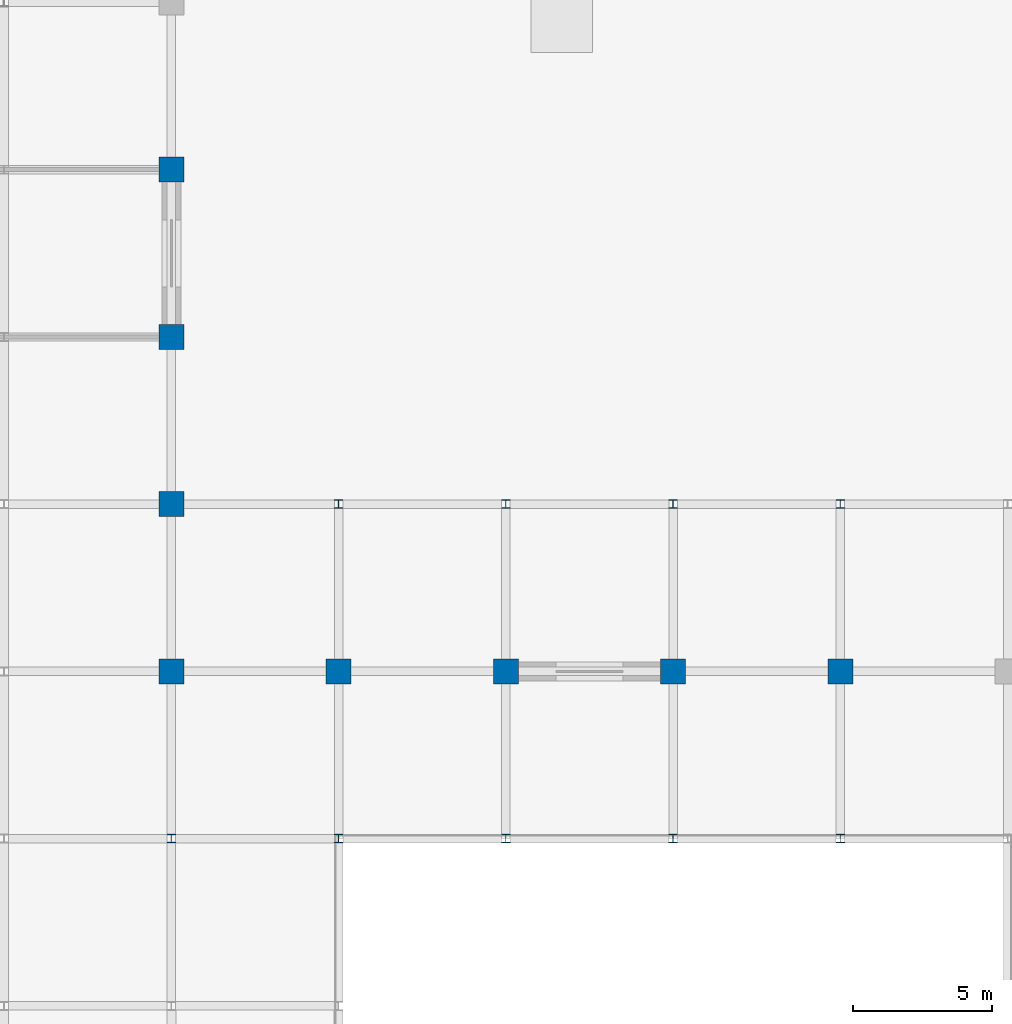
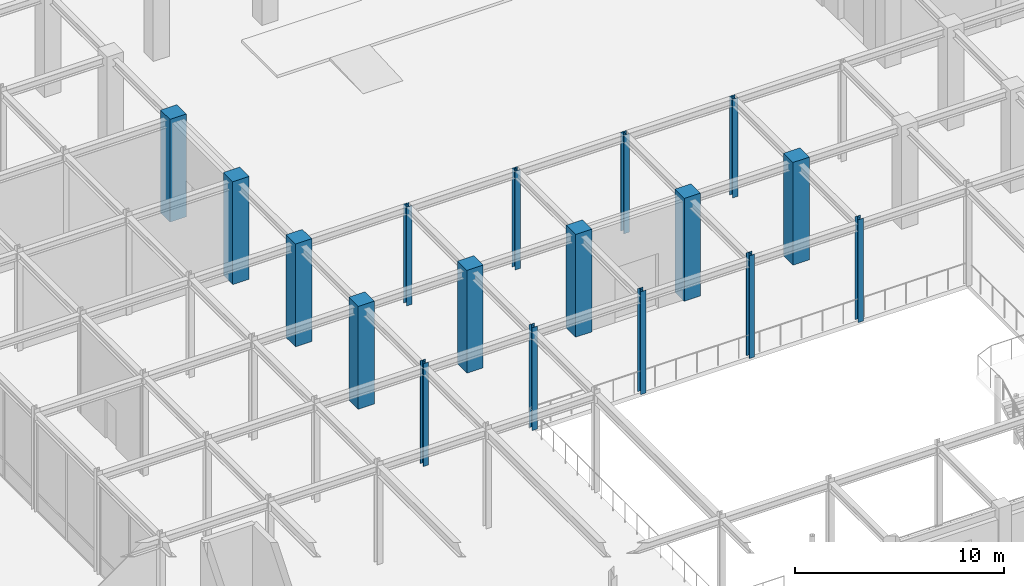
# One storey, part 11 of 108: 17 columns.
"""IFC4 building model written with IfcOpenShell, lengths in metres."""

import ifcopenshell
import ifcopenshell.guid

model = None  # the IFC model being written
_history = None  # IfcOwnerHistory: only IFC2X3 demands one
_inside = {}  # id of a spatial element -> (the spatial element, [elements in it])
_under = {}  # id of a project, library or spatial element -> (it, [spatial elements below it])
_declared = {}  # id of a project -> (the project, [libraries it declares])
_typed = {}  # id of a type object -> (the type object, [elements of that type])
_made_of = {}  # id of a material, layer set ... -> (it, [elements and type objects made of it])


def new_model(schema):
    """Start an empty IFC model of exactly this schema.

    Asked for "IFC4X3", IfcOpenShell would pick the latest addendum, in which some entities
    have other attributes; the version numbers below select the first issue.
    IFC2X3 requires an IfcOwnerHistory on every rooted entity: one is made here for all.
    """
    global model, _history
    if schema == "IFC4X3":
        model = ifcopenshell.file(schema_version=(4, 3, 0, 0))
    else:
        model = ifcopenshell.file(schema=schema)
    _inside.clear()
    _under.clear()
    _declared.clear()
    _typed.clear()
    _made_of.clear()
    _history = None
    if model.schema == "IFC2X3":
        org = make("IfcOrganization", Name="unknown")
        user = make(
            "IfcPersonAndOrganization",
            ThePerson=make("IfcPerson", FamilyName="unknown"),
            TheOrganization=org,
        )
        app = make(
            "IfcApplication",
            ApplicationDeveloper=org,
            Version="unknown",
            ApplicationFullName="unknown",
            ApplicationIdentifier="unknown",
        )
        _history = make(
            "IfcOwnerHistory",
            OwningUser=user,
            OwningApplication=app,
            ChangeAction="ADDED",
            CreationDate=0,
        )
    return model


def make(cls, **values):
    """One entity of the class cls with the attributes given. An attribute that is None is left unset."""
    return model.create_entity(
        cls, **{name: value for name, value in values.items() if value is not None}
    )


def rooted(cls, **values):
    """An entity with a GlobalId (a new one), such as an element, a storey or a relation."""
    return make(cls, GlobalId=ifcopenshell.guid.new(), OwnerHistory=_history, **values)


def si_unit(unit_type, name, prefix=None):
    """IfcSIUnit, for example si_unit("LENGTHUNIT", "METRE", prefix="MILLI")."""
    return make("IfcSIUnit", UnitType=unit_type, Prefix=prefix, Name=name)


def assignment(units):
    """IfcUnitAssignment: the units of a project."""
    return None if units is None else make("IfcUnitAssignment", Units=units)


def point(xyz):
    """IfcCartesianPoint."""
    return None if xyz is None else make("IfcCartesianPoint", Coordinates=xyz)


def direction(xyz):
    """IfcDirection."""
    return None if xyz is None else make("IfcDirection", DirectionRatios=xyz)


def frame(location, z_axis=None, x_axis=None):
    """IfcAxis2Placement3D, a coordinate frame: its origin and axes. An axis left out is left unset."""
    return make(
        "IfcAxis2Placement3D",
        Location=point(location),
        Axis=direction(z_axis),
        RefDirection=direction(x_axis),
    )


def frame_2d(location, x_axis=None):
    """IfcAxis2Placement2D, a coordinate frame in the plane: its origin and x axis."""
    return make(
        "IfcAxis2Placement2D", Location=point(location), RefDirection=direction(x_axis)
    )


def origin():
    """The frame at (0, 0, 0) with its axes left unset."""
    return frame((0.0, 0.0, 0.0))


def origin_2d():
    """The frame at (0, 0) in the plane with its x axis left unset."""
    return frame_2d((0.0, 0.0))


def place(relative_to, where):
    """IfcLocalPlacement: puts the frame where relative to a parent placement (None: the world)."""
    return make(
        "IfcLocalPlacement", PlacementRelTo=relative_to, RelativePlacement=where
    )


def context(
    kind, dimensions, precision=None, world=None, true_north=None, identifier=None
):
    """IfcGeometricRepresentationContext, for example the 3D "Model" context."""
    return make(
        "IfcGeometricRepresentationContext",
        ContextIdentifier=identifier,
        ContextType=kind,
        CoordinateSpaceDimension=dimensions,
        Precision=precision,
        WorldCoordinateSystem=world,
        TrueNorth=true_north,
    )


def subcontext(parent, identifier, kind, view, scale=None):
    """IfcGeometricRepresentationSubContext, for example "Body" below "Model"."""
    return make(
        "IfcGeometricRepresentationSubContext",
        ContextIdentifier=identifier,
        ContextType=kind,
        ParentContext=parent,
        TargetScale=scale,
        TargetView=view,
    )


def project(units=None, contexts=None):
    """IfcProject with its units and contexts."""
    return rooted(
        "IfcProject",
        Name="project",
        RepresentationContexts=contexts,
        UnitsInContext=assignment(units),
    )


def spatial(cls, under=None, at=None, **own):
    """A site, building, storey or space (cls), placed at a placement, below another one or the project."""
    s = rooted(cls, ObjectPlacement=at, **own)
    if under is not None:
        _under.setdefault(under.id(), (under, []))[1].append(s)
    return s


def profile(cls, at=None, kind="AREA", **sizes):
    """A parametric profile (cls). Its sizes go by their IFC names, for example OverallWidth=200.0."""
    return make(cls, ProfileType=kind, Position=at, **sizes)


def rectangle(**sizes):
    """IfcRectangleProfileDef."""
    return profile("IfcRectangleProfileDef", **sizes)


def i_section(**sizes):
    """IfcIShapeProfileDef."""
    return profile("IfcIShapeProfileDef", **sizes)


def extrude(swept, where, along, depth):
    """IfcExtrudedAreaSolid: the profile swept, set in the frame where, extruded along a direction by depth."""
    return make(
        "IfcExtrudedAreaSolid",
        SweptArea=swept,
        Position=where,
        ExtrudedDirection=direction(along),
        Depth=depth,
    )


def shape(context_of_items, identifier, shape_type, items):
    """IfcShapeRepresentation: the items that make up one representation, for example the "Body"."""
    return make(
        "IfcShapeRepresentation",
        ContextOfItems=context_of_items,
        RepresentationIdentifier=identifier,
        RepresentationType=shape_type,
        Items=items,
    )


def material(Name=None, Category=None):
    """IfcMaterial."""
    return make("IfcMaterial", Name=Name, Category=Category)


def material_profile(
    of_material, cross_section, Name=None, Category=None, Priority=None
):
    """IfcMaterialProfile: a cross section and its material."""
    return make(
        "IfcMaterialProfile",
        Name=Name,
        Material=of_material,
        Profile=cross_section,
        Priority=Priority,
        Category=Category,
    )


def profile_set(profiles, Name=None, composite=None):
    """IfcMaterialProfileSet."""
    return make(
        "IfcMaterialProfileSet",
        Name=Name,
        MaterialProfiles=profiles,
        CompositeProfile=composite,
    )


def made_of(thing, what):
    """Note that an element or type object is made of a material, layer set ...; save() writes the relation."""
    if what is not None:
        _made_of.setdefault(what.id(), (what, []))[1].append(thing)
    return thing


def type_object(cls, material=None, **own):
    """A type object (cls), such as IfcWallType, which elements share."""
    return made_of(rooted(cls, **own), material)


def element(
    cls,
    number,
    at=None,
    inside=None,
    cuts=None,
    type_object=None,
    material=None,
    context=None,
    identifier="Body",
    shape_type=None,
    held_by="IfcProductDefinitionShape",
    body=None,
    shapes=None,
    **own,
):
    """One element of the class cls, such as IfcWall. Its Tag is "e" and its number.

    at: its placement. inside: the storey or other place that contains it. cuts: it is an
    opening in that element (IfcRelVoidsElement). A single representation is given by context,
    identifier, shape_type and body (its items); several are given by shapes. held_by: the class
    of the entity that holds the representations. save() writes the other relations.
    """
    e = rooted(cls, Tag="e%d" % number, ObjectPlacement=at, **own)
    if body is not None:
        shapes = [shape(context, identifier, shape_type, body)]
    if shapes is not None:
        e.Representation = make(held_by, Representations=shapes)
    if inside is not None:
        _inside.setdefault(inside.id(), (inside, []))[1].append(e)
    if cuts is not None:
        rooted(
            "IfcRelVoidsElement", RelatingBuildingElement=cuts, RelatedOpeningElement=e
        )
    if type_object is not None:
        _typed.setdefault(type_object.id(), (type_object, []))[1].append(e)
    return made_of(e, material)


def aggregate(whole, parts):
    """IfcRelAggregates: a whole, such as a stair, and the parts it consists of."""
    return rooted("IfcRelAggregates", RelatingObject=whole, RelatedObjects=parts)


def save(model, path):
    """Write the relations noted so far, then the file.

    IfcRelAggregates (storeys below a building ...), IfcRelContainedInSpatialStructure (elements
    in a storey), IfcRelDefinesByType, IfcRelAssociatesMaterial and IfcRelDeclares: one each for
    every whole, place, type object, material and project.
    """
    for whole, parts in _under.values():
        aggregate(whole, parts)
    for where, things in _inside.values():
        rooted(
            "IfcRelContainedInSpatialStructure",
            RelatedElements=things,
            RelatingStructure=where,
        )
    for kind, things in _typed.values():
        rooted("IfcRelDefinesByType", RelatedObjects=things, RelatingType=kind)
    for what, things in _made_of.values():
        rooted("IfcRelAssociatesMaterial", RelatedObjects=things, RelatingMaterial=what)
    for by, libraries in _declared.values():
        rooted("IfcRelDeclares", RelatingContext=by, RelatedDefinitions=libraries)
    model.write(path)


model = new_model("IFC4")

# Units and contexts
model_context = context("Model", 3, precision=1e-05, world=origin(), true_north=direction((0.0, 1.0)))
body_context = subcontext(model_context, "Body", "Model", "MODEL_VIEW")
ifc_project = project(units=[si_unit("LENGTHUNIT", "METRE"), si_unit("AREAUNIT", "SQUARE_METRE"), si_unit("VOLUMEUNIT", "CUBIC_METRE"), si_unit("PLANEANGLEUNIT", "RADIAN"), si_unit("MASSUNIT", "GRAM", prefix="KILO")], contexts=[model_context])

# Site, building, storey
site_placement = place(None, origin())
site = spatial("IfcSite", under=ifc_project, at=site_placement, CompositionType="ELEMENT")
building_placement = place(site_placement, origin())
building = spatial("IfcBuilding", under=site, at=building_placement, Name="Zlatovratsky Civic Hall", CompositionType="ELEMENT")
storey_placement = place(building_placement, frame((0.0, 0.0, 6.0)))
storey = spatial("IfcBuildingStorey", under=building, at=storey_placement, Name="L02", CompositionType="ELEMENT", Elevation=6.0)

# Columns
ifc_material_1 = material(Name="Concrete C35/45 (B40)", Category="concrete")
ifc_material_profile_1 = material_profile(ifc_material_1, rectangle(XDim=0.89990234375, YDim=0.89990234375, at=origin_2d()), Name="RC 900x900")
ifc_profile_set_1 = profile_set([ifc_material_profile_1], Name="Concrete C35/45 (B40)")
column_type_1 = type_object("IfcColumnType", Name="Col_ChamberPier_RC900", PredefinedType="COLUMN", material=ifc_profile_set_1)
for number, where, z_axis, x_axis, name in (
    (1, (66.0, 42.0, 0.0), (0.0, 0.0, 1.0), (1.0, 0.0, 0.0), "CL-0927"),
    (2, (72.0, 42.0, 0.0), (0.0, 0.0, 1.0), (1.0, 0.0, 0.0), "CL-0928"),
    (3, (78.0, 42.0, 0.0), (0.0, 0.0, 1.0), (1.0, 0.0, 0.0), "CL-0929"),
    (4, (84.0, 42.0, 0.0), (0.0, 0.0, 1.0), (1.0, 0.0, 0.0), "CL-0930"),
    (5, (90.0, 42.0, 0.0), (0.0, 0.0, 1.0), (1.0, 0.0, 0.0), "CL-0931"),
    (6, (66.0, 48.0, 0.0), (0.0, 0.0, 1.0), (1.0, 0.0, 0.0), "CL-0946"),
    (7, (66.0, 54.0, 0.0), (0.0, 0.0, 1.0), (1.0, 0.0, 0.0), "CL-0965"),
    (8, (66.0, 60.0, 0.0), (0.0, 0.0, 1.0), (1.0, 0.0, 0.0), "CL-0979"),
):
    element("IfcColumn", number, at=place(storey_placement, frame(where, z_axis=z_axis, x_axis=x_axis)), inside=storey, type_object=column_type_1, Name=name, PredefinedType="COLUMN", context=body_context, shape_type="SweptSolid", body=[
        extrude(rectangle(XDim=0.89990234375, YDim=0.89990234375, at=origin_2d()), origin(), (0.0, 0.0, 1.0), 6.0),
    ])
ifc_material_2 = material(Name="Steel S355", Category="steel")
ifc_material_profile_2 = material_profile(ifc_material_2, i_section(OverallWidth=0.300048828125, OverallDepth=0.300048828125, WebThickness=0.010009765625, FlangeThickness=0.014892578125, FilletRadius=0.01806640625, at=origin_2d()), Name="30K2")
ifc_profile_set_2 = profile_set([ifc_material_profile_2], Name="Steel S355")
column_type_2 = type_object("IfcColumnType", Name="Col_Steel_30K2", PredefinedType="COLUMN", material=ifc_profile_set_2)
for number, where, z_axis, x_axis, name in (
    (9, (66.0, 36.0, 0.0), (0.0, 0.0, 1.0), (1.0, 0.0, 0.0), "CL-0908"),
    (10, (72.0, 36.0, 0.0), (0.0, 0.0, 1.0), (1.0, 0.0, 0.0), "CL-0909"),
    (11, (78.0, 36.0, 0.0), (0.0, 0.0, 1.0), (1.0, 0.0, 0.0), "CL-0910"),
    (12, (84.0, 36.0, 0.0), (0.0, 0.0, 1.0), (1.0, 0.0, 0.0), "CL-0911"),
    (13, (90.0, 36.0, 0.0), (0.0, 0.0, 1.0), (1.0, 0.0, 0.0), "CL-0912"),
):
    element("IfcColumn", number, at=place(storey_placement, frame(where, z_axis=z_axis, x_axis=x_axis)), inside=storey, type_object=column_type_2, Name=name, PredefinedType="COLUMN", context=body_context, shape_type="SweptSolid", body=[
        extrude(i_section(OverallWidth=0.300048828125, OverallDepth=0.300048828125, WebThickness=0.010009765625, FlangeThickness=0.014892578125, FilletRadius=0.01806640625, at=origin_2d()), origin(), (0.0, 0.0, 1.0), 6.0),
    ])
for number, where, z_axis, x_axis, name in (
    (14, (72.0, 48.0, 0.0), (0.0, 0.0, 1.0), (1.0, 0.0, 0.0), "CL-0947"),
    (15, (78.0, 48.0, 0.0), (0.0, 0.0, 1.0), (1.0, 0.0, 0.0), "CL-0948"),
    (16, (84.0, 48.0, 0.0), (0.0, 0.0, 1.0), (1.0, 0.0, 0.0), "CL-0949"),
    (17, (90.0, 48.0, 0.0), (0.0, 0.0, 1.0), (1.0, 0.0, 0.0), "CL-0950"),
):
    element("IfcColumn", number, at=place(storey_placement, frame(where, z_axis=z_axis, x_axis=x_axis)), inside=storey, type_object=column_type_2, Name=name, PredefinedType="COLUMN", context=body_context, shape_type="SweptSolid", body=[
        extrude(i_section(OverallWidth=0.300048828125, OverallDepth=0.300048828125, WebThickness=0.010009765625, FlangeThickness=0.014892578125, FilletRadius=0.01806640625, at=origin_2d()), origin(), (0.0, 0.0, 1.0), 5.760009765625),
    ])

save(model, "model.ifc")
